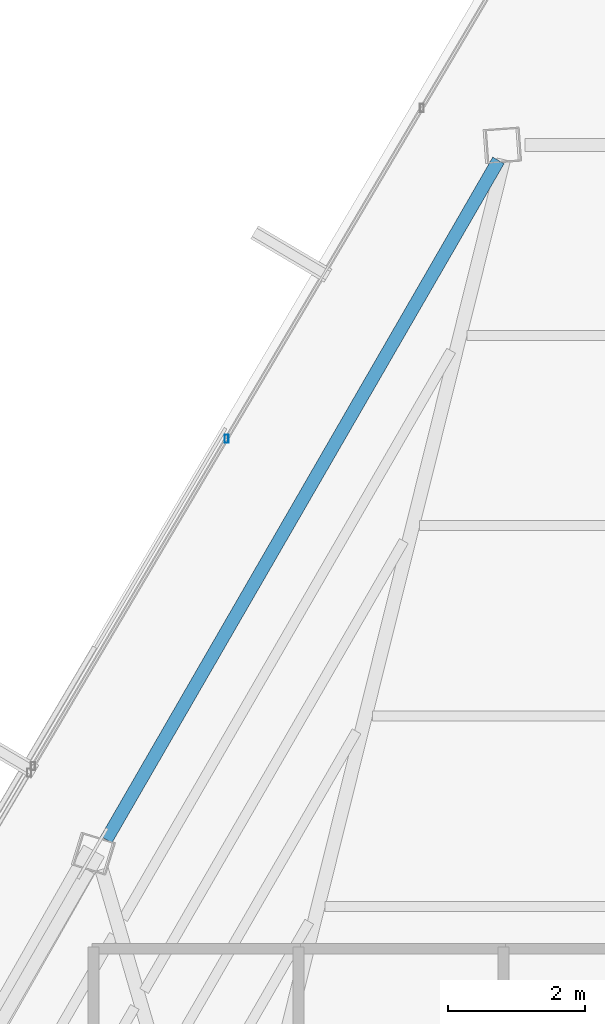
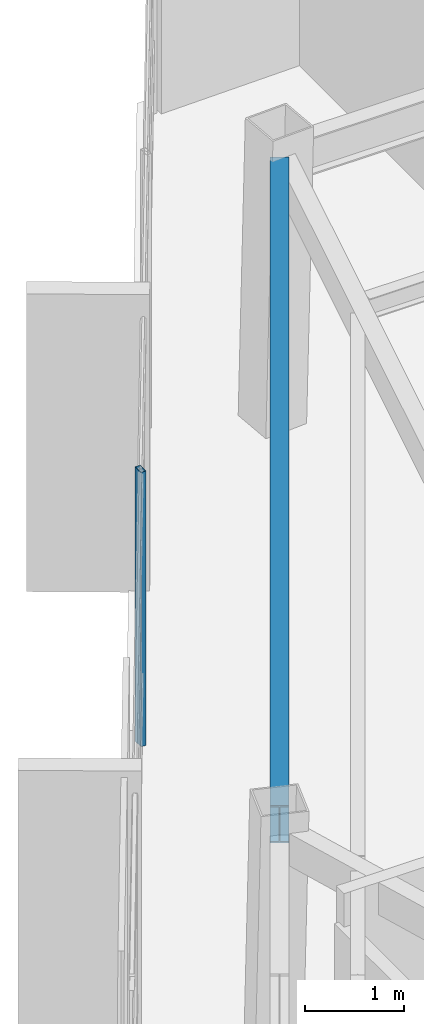
# One storey, part 33 of 45: 1 beam, 1 member, 1 element without a shape of its own.
"""IFC4 building model written with IfcOpenShell, lengths in metres."""

from ifc_helpers import new_model, si_unit, direction, frame, origin, origin_2d, place, context, subcontext, project, spatial, hollow_rectangle, i_section, extrude, source, transform, mapped, material, material_profile, profile_set, type_object, type_shapes, element, aggregate, save


model = new_model("IFC4")

# Units and contexts
model_context = context("Model", 3, precision=1e-05, world=origin(), true_north=direction((0.0, 1.0)))
body_context = subcontext(model_context, "Body", "Model", "MODEL_VIEW")
ifc_project = project(units=[si_unit("LENGTHUNIT", "METRE"), si_unit("AREAUNIT", "SQUARE_METRE"), si_unit("VOLUMEUNIT", "CUBIC_METRE"), si_unit("PLANEANGLEUNIT", "RADIAN"), si_unit("MASSUNIT", "GRAM", prefix="KILO")], contexts=[model_context])

# Site, building, storey
site_placement = place(None, origin())
site = spatial("IfcSite", under=ifc_project, at=site_placement, CompositionType="ELEMENT")
building_placement = place(site_placement, origin())
building = spatial("IfcBuilding", under=site, at=building_placement, Name="Caelisora Broadcast Tower", CompositionType="ELEMENT")
storey_placement = place(building_placement, frame((0.0, 0.0, 273.64990234375)))
storey = spatial("IfcBuildingStorey", under=building, at=storey_placement, Name="L72", CompositionType="ELEMENT", Elevation=273.64990234375)

# Beam
ifc_material_1 = material(Name="Steel Grade 350 (AS/NZS 3679.1)", Category="steel")
ifc_material_profile_1 = material_profile(ifc_material_1, i_section(OverallWidth=0.19091796875, OverallDepth=0.46044921875, WebThickness=0.010009765625, FlangeThickness=0.01611328125, at=origin_2d()), Name="Steel Grade 350 (AS/NZS 3679.1)")
ifc_profile_set_1 = profile_set([ifc_material_profile_1], Name="Steel Grade 350 (AS/NZS 3679.1)")
beam_type = type_object("IfcBeamType", Name="PG06", PredefinedType="BEAM", material=ifc_profile_set_1)
shared_shape_1 = source(origin(), body_context, "Body", "SweptSolid", [
    extrude(i_section(OverallWidth=0.19091796875, OverallDepth=0.46044921875, WebThickness=0.010009765625, FlangeThickness=0.01611328125, at=origin_2d()), origin(), (0.0, 0.0, 1.0), 11.476806640625),
])
type_shapes(beam_type, [shared_shape_1])
beam_placement = place(storey_placement, frame((34.523193359375, 46.486328125, 3.169921875), z_axis=(-0.499991914108, -0.866030072126, 0.0), x_axis=(0.866030072126, -0.499991914108, 0.0)))
element("IfcBeam", 1, at=beam_placement, inside=storey, type_object=beam_type, Name="L72 beam PG06", PredefinedType="BEAM", context=body_context, shape_type="MappedRepresentation", body=[
    mapped(shared_shape_1, transform((0.0, 0.0, 0.0), scale=1.0)),
])

# Curtain wall, member
ifc_material_2 = material(Name="Unitised Aluminium and Low-E Glass Curtain Wall", Category="glass")
curtain_wall_type = type_object("IfcCurtainWallType", Name="CW-Z5", PredefinedType="NOTDEFINED", material=ifc_material_2)
curtain_wall_placement = place(storey_placement, origin())
curtain_wall = element("IfcCurtainWall", 2, at=curtain_wall_placement, inside=storey, type_object=curtain_wall_type, Name="L72 curtain wall CW-Z5", PredefinedType="NOTDEFINED")
ifc_material_3 = material(Name="Aluminium 6063-T6 Anodised Terracotta Bronze", Category="aluminium")
ifc_material_profile_2 = material_profile(ifc_material_3, hollow_rectangle(XDim=0.06005859375, YDim=0.1201171875, WallThickness=0.0029296875, at=origin_2d()), Name="Aluminium 6063-T6 Anodised Terracotta Bronze")
ifc_profile_set_2 = profile_set([ifc_material_profile_2], Name="Aluminium 6063-T6 Anodised Terracotta Bronze")
member_type = type_object("IfcMemberType", Name="CWM-04", PredefinedType="MULLION", material=ifc_profile_set_2)
shared_shape_2 = source(origin(), body_context, "Body", "SweptSolid", [
    extrude(hollow_rectangle(XDim=0.06005859375, YDim=0.1201171875, WallThickness=0.0029296875, at=origin_2d()), origin(), (0.0, 0.0, 1.0), 3.400146484375),
])
type_shapes(member_type, [shared_shape_2])
member_placement = place(storey_placement, frame((30.544921875, 42.4150390625, 0.0), z_axis=(0.0, 0.0, 1.0), x_axis=(1.0, 0.0, 0.0)))
member = element("IfcMember", 3, at=member_placement, type_object=member_type, Name="L72-CW-B11 mullion #1", PredefinedType="MULLION", context=body_context, shape_type="MappedRepresentation", body=[
    mapped(shared_shape_2, transform((0.0, 0.0, 0.0), scale=1.0)),
])
aggregate(curtain_wall, [member])

save(model, "model.ifc")
